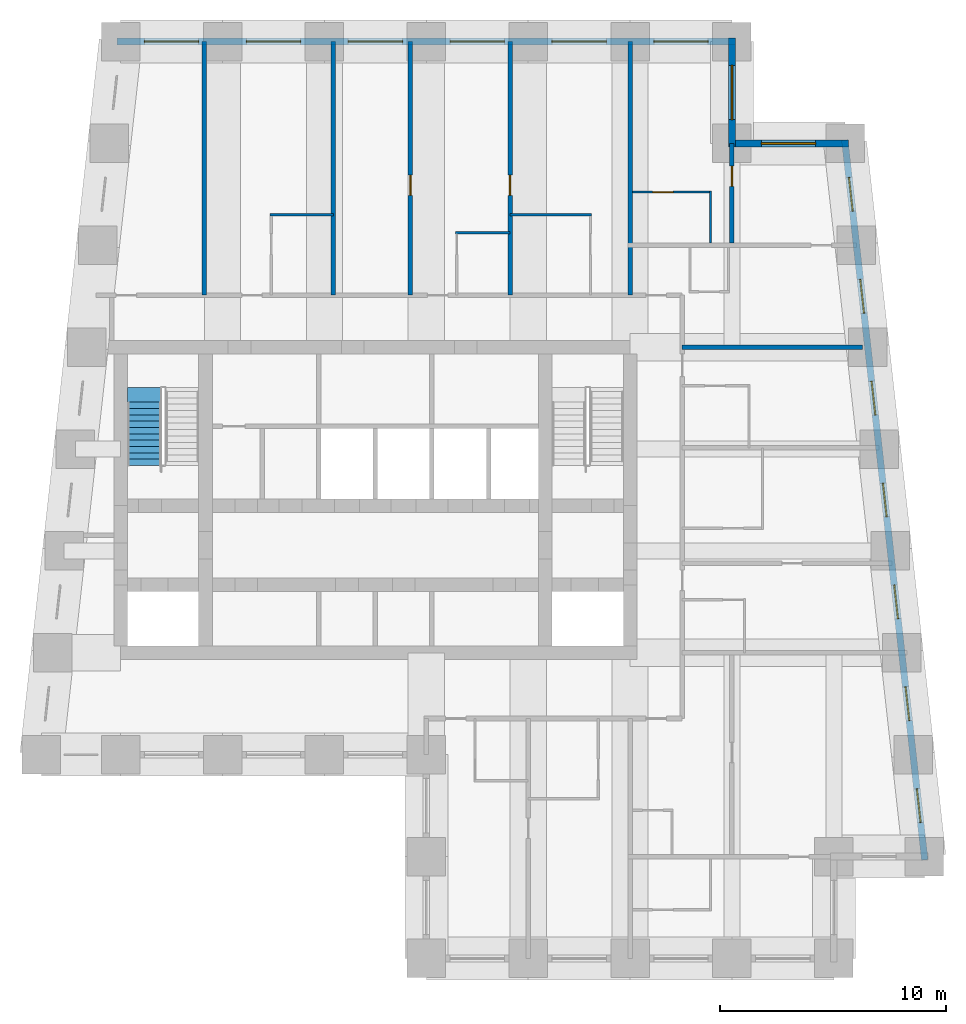
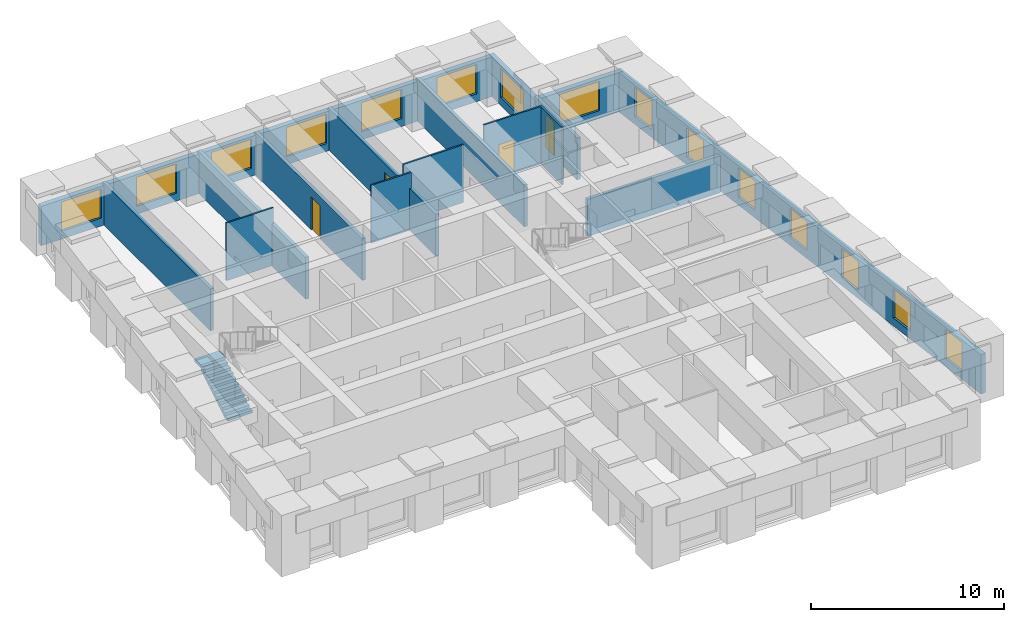
# One storey, part 5 of 7: 16 walls, 15 windows, 4 doors, 1 stair flight, 19 openings, 1 element without a shape of its own.
"""IFC4 building model written with IfcOpenShell, lengths in metres."""

from ifc_helpers import new_model, si_unit, direction, frame, frame_2d, origin, place, context, subcontext, project, spatial, polyline, rectangle, outline, extrude, material, layer, layer_set, type_object, element, fill, aggregate, save


model = new_model("IFC4")

# Units and contexts
model_context = context("Model", 3, precision=1e-05, world=origin(), true_north=direction((0.0, 1.0)))
body_context = subcontext(model_context, "Body", "Model", "MODEL_VIEW")
ifc_project = project(units=[si_unit("LENGTHUNIT", "METRE"), si_unit("AREAUNIT", "SQUARE_METRE"), si_unit("VOLUMEUNIT", "CUBIC_METRE"), si_unit("PLANEANGLEUNIT", "RADIAN"), si_unit("MASSUNIT", "GRAM", prefix="KILO")], contexts=[model_context])

# Site, building, storey
site_placement = place(None, origin())
site = spatial("IfcSite", under=ifc_project, at=site_placement, CompositionType="ELEMENT")
building_placement = place(site_placement, origin())
building = spatial("IfcBuilding", under=site, at=building_placement, Name="Kilele Tower Hotel", CompositionType="ELEMENT")
storey_placement = place(building_placement, frame((0.0, 0.0, 236.89990234375)))
storey = spatial("IfcBuildingStorey", under=building, at=storey_placement, Name="L61", CompositionType="ELEMENT", Elevation=236.89990234375)

# Walls
ifc_material_1 = material(Name="Moisture-resistant board")
ifc_layer_1 = layer(ifc_material_1, 0.10009765625)
ifc_layer_set_1 = layer_set([ifc_layer_1], Name="Moisture-resistant board")
wall_type_1 = type_object("IfcWallType", Name="Bathroom partition 100", PredefinedType="PLUMBINGWALL", material=ifc_layer_set_1)
wall_1_placement = place(storey_placement, frame((20.10009765625, 32.85009765625, 0.0), z_axis=(0.0, 0.0, 1.0), x_axis=(1.0, 0.0, 0.0)))
element("IfcWall", 1, at=wall_1_placement, inside=storey, type_object=wall_type_1, Name="Bathroom partition 100 L61", PredefinedType="PLUMBINGWALL", context=body_context, shape_type="SweptSolid", body=[
    extrude(rectangle(XDim=2.7998046875, YDim=0.10009765625, at=frame_2d((1.39990234375, 0.0))), origin(), (0.0, 0.0, 1.0), 3.650146484375),
])
wall_2_placement = place(storey_placement, frame((28.300048828125, 32.050048828125, 0.0), z_axis=(0.0, 0.0, 1.0), x_axis=(1.0, 0.0, 0.0)))
element("IfcWall", 2, at=wall_2_placement, inside=storey, type_object=wall_type_1, Name="Bathroom partition 100 L61", PredefinedType="PLUMBINGWALL", context=body_context, shape_type="SweptSolid", body=[
    extrude(rectangle(XDim=2.39990234375, YDim=0.10009765625, at=frame_2d((1.199951171875, 0.0))), origin(), (0.0, 0.0, 1.0), 3.650146484375),
])
wall_3_placement = place(storey_placement, frame((30.699951171875, 32.85009765625, 0.0), z_axis=(0.0, 0.0, 1.0), x_axis=(1.0, 0.0, 0.0)))
element("IfcWall", 3, at=wall_3_placement, inside=storey, type_object=wall_type_1, Name="Bathroom partition 100 L61", PredefinedType="PLUMBINGWALL", context=body_context, shape_type="SweptSolid", body=[
    extrude(rectangle(XDim=3.60009765625, YDim=0.10009765625, at=frame_2d((1.800048828125, 0.0))), origin(), (0.0, 0.0, 1.0), 3.650146484375),
])
wall_4_placement = place(storey_placement, frame((39.550048828125, 31.60009765625, 0.0), z_axis=(0.0, 0.0, 1.0), x_axis=(0.0, 1.0, 0.0)))
element("IfcWall", 4, at=wall_4_placement, inside=storey, type_object=wall_type_1, Name="Bathroom partition 100 L61", PredefinedType="PLUMBINGWALL", context=body_context, shape_type="SweptSolid", body=[
    extrude(rectangle(XDim=2.2998046875, YDim=0.10009765625, at=frame_2d((1.14990234375, 0.0))), origin(), (0.0, 0.0, 1.0), 3.650146484375),
])

# Wall, opening, door
wall_5_placement = place(storey_placement, frame((36.10009765625, 33.85009765625, 0.0), z_axis=(0.0, 0.0, 1.0), x_axis=(1.0, 0.0, 0.0)))
wall_5 = element("IfcWall", 5, at=wall_5_placement, inside=storey, type_object=wall_type_1, Name="Bathroom partition 100 L61", PredefinedType="PLUMBINGWALL", context=body_context, shape_type="SweptSolid", body=[
    extrude(rectangle(XDim=3.5, YDim=0.10009765625, at=frame_2d((1.75, 0.0))), origin(), (0.0, 0.0, 1.0), 3.650146484375),
])
opening_1_placement = place(wall_5_placement, frame((0.89990234375, 0.0, 0.0)))
opening_1 = element("IfcOpeningElement", 6, at=opening_1_placement, cuts=wall_5, Name="Opening D2A", PredefinedType="OPENING", context=body_context, shape_type="SweptSolid", body=[
    extrude(rectangle(XDim=0.89990234375, YDim=2.10009765625, at=frame_2d((0.449951171875, 1.050048828125))), frame((0.0, 0.06005859375, 0.0), z_axis=(0.0, -1.0, 0.0), x_axis=(1.0, 0.0, 0.0)), (0.0, 0.0, 1.0), 0.1201171875),
])
ifc_material_2 = material(Name="Timber door leaf in hardwood frame", Category="wood")
door_type_1 = type_object("IfcDoorType", Name="Bathroom door 900", OperationType="SINGLE_SWING_LEFT", PredefinedType="DOOR", material=ifc_material_2)
door_1_placement = place(opening_1_placement, origin())
door_1 = element("IfcDoor", 7, at=door_1_placement, inside=storey, type_object=door_type_1, Name="Bathroom door 6116B", OperationType="SINGLE_SWING_LEFT", OverallHeight=2.10009765625, OverallWidth=0.89990234375, PredefinedType="DOOR", context=body_context, shape_type="SweptSolid", body=[
    extrude(rectangle(XDim=0.89990234375, YDim=2.10009765625, at=frame_2d((0.449951171875, 1.050048828125))), frame((0.0, 0.02490234375, 0.0), z_axis=(0.0, -1.0, 0.0), x_axis=(1.0, 0.0, 0.0)), (0.0, 0.0, 1.0), 0.050048828125),
])
fill(opening_1, door_1)

ifc_material_3 = material(Name="Blockwork, plastered both sides", Category="masonry")
ifc_layer_2 = layer(ifc_material_3, 0.199951171875)
ifc_layer_set_2 = layer_set([ifc_layer_2], Name="Blockwork, plastered both sides")
wall_type_2 = type_object("IfcWallType", Name="Partition wall 200", PredefinedType="PARTITIONING", material=ifc_layer_set_2)
wall_6_placement = place(storey_placement, frame((40.5, 31.60009765625, 0.0), z_axis=(0.0, 0.0, 1.0), x_axis=(0.0, 1.0, 0.0)))
wall_6 = element("IfcWall", 8, at=wall_6_placement, inside=storey, type_object=wall_type_2, Name="Partition wall 200 L61", PredefinedType="PARTITIONING", context=body_context, shape_type="SweptSolid", body=[
    extrude(rectangle(XDim=4.39990234375, YDim=0.199951171875, at=frame_2d((2.199951171875, 0.0))), origin(), (0.0, 0.0, 1.0), 2.650146484375),
])
opening_2_placement = place(wall_6_placement, frame((2.5, 0.0, 0.0)))
opening_2 = element("IfcOpeningElement", 9, at=opening_2_placement, cuts=wall_6, Name="Opening D3", PredefinedType="OPENING", context=body_context, shape_type="SweptSolid", body=[
    extrude(rectangle(XDim=0.89990234375, YDim=2.10009765625, at=frame_2d((0.449951171875, 1.050048828125))), frame((0.0, 0.10986328125, 0.0), z_axis=(0.0, -1.0, 0.0), x_axis=(1.0, 0.0, 0.0)), (0.0, 0.0, 1.0), 0.219970703125),
])
ifc_material_4 = material(Name="Timber door leaf in hardwood frame", Category="wood")
door_type_2 = type_object("IfcDoorType", Name="Suite internal door 900", OperationType="SINGLE_SWING_LEFT", PredefinedType="DOOR", material=ifc_material_4)
door_2_placement = place(opening_2_placement, origin())
door_2 = element("IfcDoor", 10, at=door_2_placement, inside=storey, type_object=door_type_2, Name="Suite door 6117", OperationType="SINGLE_SWING_LEFT", OverallHeight=2.10009765625, OverallWidth=0.89990234375, PredefinedType="DOOR", context=body_context, shape_type="SweptSolid", body=[
    extrude(rectangle(XDim=0.89990234375, YDim=2.10009765625, at=frame_2d((0.449951171875, 1.050048828125))), frame((0.0, 0.02490234375, 0.0), z_axis=(0.0, -1.0, 0.0), x_axis=(1.0, 0.0, 0.0)), (0.0, 0.0, 1.0), 0.050048828125),
])
fill(opening_2, door_2)

# Walls
ifc_material_5 = material(Name="Blockwork, plastered both sides", Category="masonry")
ifc_layer_3 = layer(ifc_material_5, 0.199951171875)
ifc_layer_set_3 = layer_set([ifc_layer_3], Name="Blockwork, plastered both sides")
wall_type_3 = type_object("IfcWallType", Name="Party wall 200", PredefinedType="PARTITIONING", material=ifc_layer_set_3)
for number, where, z_axis, x_axis, name in (
    (11, (17.199951171875, 29.300048828125, 0.0), (0.0, 0.0, 1.0), (0.0, 1.0, 0.0), "Party wall 200 L61"),
    (12, (22.89990234375, 29.300048828125, 0.0), (0.0, 0.0, 1.0), (0.0, 1.0, 0.0), "Party wall 200 L61"),
):
    element("IfcWall", number, at=place(storey_placement, frame(where, z_axis=z_axis, x_axis=x_axis)), inside=storey, type_object=wall_type_3, Name=name, PredefinedType="PARTITIONING", context=body_context, shape_type="SweptSolid", body=[
        extrude(rectangle(XDim=11.199951171875, YDim=0.199951171875, at=frame_2d((5.60009765625, 0.0))), origin(), (0.0, 0.0, 1.0), 2.650146484375),
    ])

# Wall, opening, door
wall_7_placement = place(storey_placement, frame((26.300048828125, 29.300048828125, 0.0), z_axis=(0.0, 0.0, 1.0), x_axis=(0.0, 1.0, 0.0)))
wall_7 = element("IfcWall", 13, at=wall_7_placement, inside=storey, type_object=wall_type_3, Name="Party wall 200 L61", PredefinedType="PARTITIONING", context=body_context, shape_type="SweptSolid", body=[
    extrude(rectangle(XDim=11.199951171875, YDim=0.199951171875, at=frame_2d((5.60009765625, 0.0))), origin(), (0.0, 0.0, 1.0), 2.650146484375),
])
opening_3_placement = place(wall_7_placement, frame((4.39990234375, 0.0, 0.0)))
opening_3 = element("IfcOpeningElement", 14, at=opening_3_placement, cuts=wall_7, Name="Opening D3", PredefinedType="OPENING", context=body_context, shape_type="SweptSolid", body=[
    extrude(rectangle(XDim=0.89990234375, YDim=2.10009765625, at=frame_2d((0.449951171875, 1.050048828125))), frame((0.0, 0.10986328125, 0.0), z_axis=(0.0, -1.0, 0.0), x_axis=(1.0, 0.0, 0.0)), (0.0, 0.0, 1.0), 0.219970703125),
])
door_3_placement = place(opening_3_placement, origin())
door_3 = element("IfcDoor", 15, at=door_3_placement, inside=storey, type_object=door_type_2, Name="Suite door 6110", OperationType="SINGLE_SWING_LEFT", OverallHeight=2.10009765625, OverallWidth=0.89990234375, PredefinedType="DOOR", context=body_context, shape_type="SweptSolid", body=[
    extrude(rectangle(XDim=0.89990234375, YDim=2.10009765625, at=frame_2d((0.449951171875, 1.050048828125))), frame((0.0, 0.02490234375, 0.0), z_axis=(0.0, -1.0, 0.0), x_axis=(1.0, 0.0, 0.0)), (0.0, 0.0, 1.0), 0.050048828125),
])
fill(opening_3, door_3)

wall_8_placement = place(storey_placement, frame((30.699951171875, 29.300048828125, 0.0), z_axis=(0.0, 0.0, 1.0), x_axis=(0.0, 1.0, 0.0)))
wall_8 = element("IfcWall", 16, at=wall_8_placement, inside=storey, type_object=wall_type_3, Name="Party wall 200 L61", PredefinedType="PARTITIONING", context=body_context, shape_type="SweptSolid", body=[
    extrude(rectangle(XDim=11.199951171875, YDim=0.199951171875, at=frame_2d((5.60009765625, 0.0))), origin(), (0.0, 0.0, 1.0), 2.650146484375),
])
opening_4_placement = place(wall_8_placement, frame((5.2998046875, 0.0, 0.0), z_axis=(0.0, 0.0, 1.0), x_axis=(-1.0, 0.0, 0.0)))
opening_4 = element("IfcOpeningElement", 17, at=opening_4_placement, cuts=wall_8, Name="Opening D3", PredefinedType="OPENING", context=body_context, shape_type="SweptSolid", body=[
    extrude(rectangle(XDim=0.89990234375, YDim=2.10009765625, at=frame_2d((0.449951171875, 1.050048828125))), frame((0.0, 0.10986328125, 0.0), z_axis=(0.0, -1.0, 0.0), x_axis=(1.0, 0.0, 0.0)), (0.0, 0.0, 1.0), 0.219970703125),
])
door_4_placement = place(opening_4_placement, origin())
door_4 = element("IfcDoor", 18, at=door_4_placement, inside=storey, type_object=door_type_2, Name="Suite door 6111", OperationType="SINGLE_SWING_RIGHT", OverallHeight=2.10009765625, OverallWidth=0.89990234375, PredefinedType="DOOR", context=body_context, shape_type="SweptSolid", body=[
    extrude(rectangle(XDim=0.89990234375, YDim=2.10009765625, at=frame_2d((0.449951171875, 1.050048828125))), frame((0.0, 0.02490234375, 0.0), z_axis=(0.0, -1.0, 0.0), x_axis=(1.0, 0.0, 0.0)), (0.0, 0.0, 1.0), 0.050048828125),
])
fill(opening_4, door_4)

# Walls
wall_9_placement = place(storey_placement, frame((38.300048828125, 27.0, 0.0), z_axis=(0.0, 0.0, 1.0), x_axis=(1.0, 0.0, 0.0)))
element("IfcWall", 19, at=wall_9_placement, inside=storey, type_object=wall_type_3, Name="Party wall 200 L61", PredefinedType="PARTITIONING", context=body_context, shape_type="SweptSolid", body=[
    extrude(rectangle(XDim=7.976806640625, YDim=0.199951171875, at=frame_2d((3.98828125, 0.0))), origin(), (0.0, 0.0, 1.0), 2.35009765625),
])
wall_10_placement = place(storey_placement, frame((36.0, 29.300048828125, 0.0), z_axis=(0.0, 0.0, 1.0), x_axis=(0.0, 1.0, 0.0)))
element("IfcWall", 20, at=wall_10_placement, inside=storey, type_object=wall_type_3, Name="Party wall 200 L61", PredefinedType="PARTITIONING", context=body_context, shape_type="SweptSolid", body=[
    extrude(rectangle(XDim=11.199951171875, YDim=0.199951171875, at=frame_2d((5.60009765625, 0.0))), origin(), (0.0, 0.0, 1.0), 2.650146484375),
])

# Wall, openings, windows
ifc_material_6 = material(Name="Concrete C40/50 precast", Category="concrete")
ifc_layer_4 = layer(ifc_material_6, 0.260009765625, Name="Precast backing", Category="LoadBearing")
ifc_material_7 = material(Name="Reconstituted stone finish", Category="masonry")
ifc_layer_5 = layer(ifc_material_7, 0.0400390625, Name="Face mix", Category="Finish")
ifc_layer_set_4 = layer_set([ifc_layer_4, ifc_layer_5], Name="Precast concrete C40/50, reconstituted stone finish")
wall_type_4 = type_object("IfcWallType", Name="Precast stone facade wall 300", PredefinedType="STANDARD", material=ifc_layer_set_4)
wall_11_placement = place(storey_placement, frame((49.0166015625, 4.350830078125, 0.0), z_axis=(0.0, 0.0, 1.0), x_axis=(-0.110433201132, 0.993883548555, 0.0)))
wall_11 = element("IfcWall", 21, at=wall_11_placement, inside=storey, type_object=wall_type_4, Name="Facade wall L61 edge 6", PredefinedType="STANDARD", context=body_context, shape_type="SweptSolid", body=[
    extrude(rectangle(XDim=31.994140625, YDim=0.300048828125, at=frame_2d((15.9970703125, 0.0))), origin(), (0.0, 0.0, 1.0), 2.5),
])
opening_5_placement = place(wall_11_placement, frame((1.6640625, 0.0, 0.5)))
opening_5 = element("IfcOpeningElement", 22, at=opening_5_placement, cuts=wall_11, Name="Opening W4", PredefinedType="OPENING", context=body_context, shape_type="SweptSolid", body=[
    extrude(rectangle(XDim=1.5, YDim=1.85009765625, at=frame_2d((0.75, 0.925048828125))), frame((0.0, 0.159912109375, 0.0), z_axis=(0.0, -1.0, 0.0), x_axis=(1.0, 0.0, 0.0)), (0.0, 0.0, 1.0), 0.320068359375),
])
opening_6_placement = place(wall_11_placement, frame((6.19189453125, 0.0, 0.5)))
opening_6 = element("IfcOpeningElement", 23, at=opening_6_placement, cuts=wall_11, Name="Opening W4", PredefinedType="OPENING", context=body_context, shape_type="SweptSolid", body=[
    extrude(rectangle(XDim=1.5, YDim=1.85009765625, at=frame_2d((0.75, 0.925048828125))), frame((0.0, 0.159912109375, 0.0), z_axis=(0.0, -1.0, 0.0), x_axis=(1.0, 0.0, 0.0)), (0.0, 0.0, 1.0), 0.320068359375),
])
opening_7_placement = place(wall_11_placement, frame((10.718994140625, 0.0, 0.5)))
opening_7 = element("IfcOpeningElement", 24, at=opening_7_placement, cuts=wall_11, Name="Opening W4", PredefinedType="OPENING", context=body_context, shape_type="SweptSolid", body=[
    extrude(rectangle(XDim=1.5, YDim=1.85009765625, at=frame_2d((0.75, 0.925048828125))), frame((0.0, 0.159912109375, 0.0), z_axis=(0.0, -1.0, 0.0), x_axis=(1.0, 0.0, 0.0)), (0.0, 0.0, 1.0), 0.320068359375),
])
opening_8_placement = place(wall_11_placement, frame((15.2470703125, 0.0, 0.5)))
opening_8 = element("IfcOpeningElement", 25, at=opening_8_placement, cuts=wall_11, Name="Opening W4", PredefinedType="OPENING", context=body_context, shape_type="SweptSolid", body=[
    extrude(rectangle(XDim=1.5, YDim=1.85009765625, at=frame_2d((0.75, 0.925048828125))), frame((0.0, 0.159912109375, 0.0), z_axis=(0.0, -1.0, 0.0), x_axis=(1.0, 0.0, 0.0)), (0.0, 0.0, 1.0), 0.320068359375),
])
opening_9_placement = place(wall_11_placement, frame((19.77490234375, 0.0, 0.5)))
opening_9 = element("IfcOpeningElement", 26, at=opening_9_placement, cuts=wall_11, Name="Opening W4", PredefinedType="OPENING", context=body_context, shape_type="SweptSolid", body=[
    extrude(rectangle(XDim=1.5, YDim=1.85009765625, at=frame_2d((0.75, 0.925048828125))), frame((0.0, 0.159912109375, 0.0), z_axis=(0.0, -1.0, 0.0), x_axis=(1.0, 0.0, 0.0)), (0.0, 0.0, 1.0), 0.320068359375),
])
opening_10_placement = place(wall_11_placement, frame((24.302001953125, 0.0, 0.5)))
opening_10 = element("IfcOpeningElement", 27, at=opening_10_placement, cuts=wall_11, Name="Opening W4", PredefinedType="OPENING", context=body_context, shape_type="SweptSolid", body=[
    extrude(rectangle(XDim=1.5, YDim=1.85009765625, at=frame_2d((0.75, 0.925048828125))), frame((0.0, 0.159912109375, 0.0), z_axis=(0.0, -1.0, 0.0), x_axis=(1.0, 0.0, 0.0)), (0.0, 0.0, 1.0), 0.320068359375),
])
opening_11_placement = place(wall_11_placement, frame((28.830078125, 0.0, 0.5)))
opening_11 = element("IfcOpeningElement", 28, at=opening_11_placement, cuts=wall_11, Name="Opening W4", PredefinedType="OPENING", context=body_context, shape_type="SweptSolid", body=[
    extrude(rectangle(XDim=1.5, YDim=1.85009765625, at=frame_2d((0.75, 0.925048828125))), frame((0.0, 0.159912109375, 0.0), z_axis=(0.0, -1.0, 0.0), x_axis=(1.0, 0.0, 0.0)), (0.0, 0.0, 1.0), 0.320068359375),
])
ifc_material_8 = material(Name="Aluminium frame, clear double glazing", Category="aluminium")
window_type_1 = type_object("IfcWindowType", Name="Window W4 1500 x 1850", PartitioningType="SINGLE_PANEL", PredefinedType="WINDOW", material=ifc_material_8)
window_1_placement = place(opening_5_placement, origin())
window_1 = element("IfcWindow", 29, at=window_1_placement, inside=storey, type_object=window_type_1, Name="Window L61", OverallHeight=1.85009765625, OverallWidth=1.5, PartitioningType="SINGLE_PANEL", PredefinedType="WINDOW", context=body_context, shape_type="SweptSolid", body=[
    extrude(rectangle(XDim=1.5, YDim=1.85009765625, at=frame_2d((0.75, 0.925048828125))), frame((0.0, 0.030029296875, 0.0), z_axis=(0.0, -1.0, 0.0), x_axis=(1.0, 0.0, 0.0)), (0.0, 0.0, 1.0), 0.06005859375),
])
fill(opening_5, window_1)
window_2_placement = place(opening_6_placement, origin())
window_2 = element("IfcWindow", 30, at=window_2_placement, inside=storey, type_object=window_type_1, Name="Window L61", OverallHeight=1.85009765625, OverallWidth=1.5, PartitioningType="SINGLE_PANEL", PredefinedType="WINDOW", context=body_context, shape_type="SweptSolid", body=[
    extrude(rectangle(XDim=1.5, YDim=1.85009765625, at=frame_2d((0.75, 0.925048828125))), frame((0.0, 0.030029296875, 0.0), z_axis=(0.0, -1.0, 0.0), x_axis=(1.0, 0.0, 0.0)), (0.0, 0.0, 1.0), 0.06005859375),
])
fill(opening_6, window_2)
window_3_placement = place(opening_7_placement, origin())
window_3 = element("IfcWindow", 31, at=window_3_placement, inside=storey, type_object=window_type_1, Name="Window L61", OverallHeight=1.85009765625, OverallWidth=1.5, PartitioningType="SINGLE_PANEL", PredefinedType="WINDOW", context=body_context, shape_type="SweptSolid", body=[
    extrude(rectangle(XDim=1.5, YDim=1.85009765625, at=frame_2d((0.75, 0.925048828125))), frame((0.0, 0.030029296875, 0.0), z_axis=(0.0, -1.0, 0.0), x_axis=(1.0, 0.0, 0.0)), (0.0, 0.0, 1.0), 0.06005859375),
])
fill(opening_7, window_3)
window_4_placement = place(opening_8_placement, origin())
window_4 = element("IfcWindow", 32, at=window_4_placement, inside=storey, type_object=window_type_1, Name="Window L61", OverallHeight=1.85009765625, OverallWidth=1.5, PartitioningType="SINGLE_PANEL", PredefinedType="WINDOW", context=body_context, shape_type="SweptSolid", body=[
    extrude(rectangle(XDim=1.5, YDim=1.85009765625, at=frame_2d((0.75, 0.925048828125))), frame((0.0, 0.030029296875, 0.0), z_axis=(0.0, -1.0, 0.0), x_axis=(1.0, 0.0, 0.0)), (0.0, 0.0, 1.0), 0.06005859375),
])
fill(opening_8, window_4)
window_5_placement = place(opening_9_placement, origin())
window_5 = element("IfcWindow", 33, at=window_5_placement, inside=storey, type_object=window_type_1, Name="Window L61", OverallHeight=1.85009765625, OverallWidth=1.5, PartitioningType="SINGLE_PANEL", PredefinedType="WINDOW", context=body_context, shape_type="SweptSolid", body=[
    extrude(rectangle(XDim=1.5, YDim=1.85009765625, at=frame_2d((0.75, 0.925048828125))), frame((0.0, 0.030029296875, 0.0), z_axis=(0.0, -1.0, 0.0), x_axis=(1.0, 0.0, 0.0)), (0.0, 0.0, 1.0), 0.06005859375),
])
fill(opening_9, window_5)
window_6_placement = place(opening_10_placement, origin())
window_6 = element("IfcWindow", 34, at=window_6_placement, inside=storey, type_object=window_type_1, Name="Window L61", OverallHeight=1.85009765625, OverallWidth=1.5, PartitioningType="SINGLE_PANEL", PredefinedType="WINDOW", context=body_context, shape_type="SweptSolid", body=[
    extrude(rectangle(XDim=1.5, YDim=1.85009765625, at=frame_2d((0.75, 0.925048828125))), frame((0.0, 0.030029296875, 0.0), z_axis=(0.0, -1.0, 0.0), x_axis=(1.0, 0.0, 0.0)), (0.0, 0.0, 1.0), 0.06005859375),
])
fill(opening_10, window_6)
window_7_placement = place(opening_11_placement, origin())
window_7 = element("IfcWindow", 35, at=window_7_placement, inside=storey, type_object=window_type_1, Name="Window L61", OverallHeight=1.85009765625, OverallWidth=1.5, PartitioningType="SINGLE_PANEL", PredefinedType="WINDOW", context=body_context, shape_type="SweptSolid", body=[
    extrude(rectangle(XDim=1.5, YDim=1.85009765625, at=frame_2d((0.75, 0.925048828125))), frame((0.0, 0.030029296875, 0.0), z_axis=(0.0, -1.0, 0.0), x_axis=(1.0, 0.0, 0.0)), (0.0, 0.0, 1.0), 0.06005859375),
])
fill(opening_11, window_7)

# Wall, opening, window
wall_12_placement = place(storey_placement, frame((45.64990234375, 36.0, 0.0), z_axis=(0.0, 0.0, 1.0), x_axis=(-1.0, 0.0, 0.0)))
wall_12 = element("IfcWall", 36, at=wall_12_placement, inside=storey, type_object=wall_type_4, Name="Facade wall L61 edge 7", PredefinedType="STANDARD", context=body_context, shape_type="SweptSolid", body=[
    extrude(rectangle(XDim=5.2998046875, YDim=0.300048828125, at=frame_2d((2.64990234375, 0.0))), origin(), (0.0, 0.0, 1.0), 2.5),
])
opening_12_placement = place(wall_12_placement, frame((1.449951171875, 0.0, 0.5)))
opening_12 = element("IfcOpeningElement", 37, at=opening_12_placement, cuts=wall_12, Name="Opening W4", PredefinedType="OPENING", context=body_context, shape_type="SweptSolid", body=[
    extrude(rectangle(XDim=2.39990234375, YDim=1.85009765625, at=frame_2d((1.199951171875, 0.925048828125))), frame((0.0, 0.159912109375, 0.0), z_axis=(0.0, -1.0, 0.0), x_axis=(1.0, 0.0, 0.0)), (0.0, 0.0, 1.0), 0.320068359375),
])
ifc_material_9 = material(Name="Aluminium frame, clear double glazing", Category="aluminium")
window_type_2 = type_object("IfcWindowType", Name="Window W4 2400 x 1850", PartitioningType="SINGLE_PANEL", PredefinedType="WINDOW", material=ifc_material_9)
window_8_placement = place(opening_12_placement, origin())
window_8 = element("IfcWindow", 38, at=window_8_placement, inside=storey, type_object=window_type_2, Name="Window L61", OverallHeight=1.85009765625, OverallWidth=2.39990234375, PartitioningType="SINGLE_PANEL", PredefinedType="WINDOW", context=body_context, shape_type="SweptSolid", body=[
    extrude(rectangle(XDim=2.39990234375, YDim=1.85009765625, at=frame_2d((1.199951171875, 0.925048828125))), frame((0.0, 0.030029296875, 0.0), z_axis=(0.0, -1.0, 0.0), x_axis=(1.0, 0.0, 0.0)), (0.0, 0.0, 1.0), 0.06005859375),
])
fill(opening_12, window_8)

wall_13_placement = place(storey_placement, frame((40.5, 35.85009765625, 0.0), z_axis=(0.0, 0.0, 1.0), x_axis=(0.0, 1.0, 0.0)))
wall_13 = element("IfcWall", 39, at=wall_13_placement, inside=storey, type_object=wall_type_4, Name="Facade wall L61 edge 8", PredefinedType="STANDARD", context=body_context, shape_type="SweptSolid", body=[
    extrude(rectangle(XDim=4.7998046875, YDim=0.300048828125, at=frame_2d((2.39990234375, 0.0))), origin(), (0.0, 0.0, 1.0), 2.5),
])
opening_13_placement = place(wall_13_placement, frame((1.199951171875, 0.0, 0.5)))
opening_13 = element("IfcOpeningElement", 40, at=opening_13_placement, cuts=wall_13, Name="Opening W4", PredefinedType="OPENING", context=body_context, shape_type="SweptSolid", body=[
    extrude(rectangle(XDim=2.39990234375, YDim=1.85009765625, at=frame_2d((1.199951171875, 0.925048828125))), frame((0.0, 0.159912109375, 0.0), z_axis=(0.0, -1.0, 0.0), x_axis=(1.0, 0.0, 0.0)), (0.0, 0.0, 1.0), 0.320068359375),
])
window_9_placement = place(opening_13_placement, origin())
window_9 = element("IfcWindow", 41, at=window_9_placement, inside=storey, type_object=window_type_2, Name="Window L61", OverallHeight=1.85009765625, OverallWidth=2.39990234375, PartitioningType="SINGLE_PANEL", PredefinedType="WINDOW", context=body_context, shape_type="SweptSolid", body=[
    extrude(rectangle(XDim=2.39990234375, YDim=1.85009765625, at=frame_2d((1.199951171875, 0.925048828125))), frame((0.0, 0.030029296875, 0.0), z_axis=(0.0, -1.0, 0.0), x_axis=(1.0, 0.0, 0.0)), (0.0, 0.0, 1.0), 0.06005859375),
])
fill(opening_13, window_9)

# Wall, openings, windows
wall_14_placement = place(storey_placement, frame((40.64990234375, 40.5, 0.0), z_axis=(0.0, 0.0, 1.0), x_axis=(-1.0, 0.0, 0.0)))
wall_14 = element("IfcWall", 42, at=wall_14_placement, inside=storey, type_object=wall_type_4, Name="Facade wall L61 edge 9", PredefinedType="STANDARD", context=body_context, shape_type="SweptSolid", body=[
    extrude(rectangle(XDim=27.2998046875, YDim=0.300048828125, at=frame_2d((13.64990234375, 0.0))), origin(), (0.0, 0.0, 1.0), 2.5),
])
opening_14_placement = place(wall_14_placement, frame((1.199951171875, 0.0, 0.5)))
opening_14 = element("IfcOpeningElement", 43, at=opening_14_placement, cuts=wall_14, Name="Opening W4", PredefinedType="OPENING", context=body_context, shape_type="SweptSolid", body=[
    extrude(rectangle(XDim=2.39990234375, YDim=1.85009765625, at=frame_2d((1.199951171875, 0.925048828125))), frame((0.0, 0.159912109375, 0.0), z_axis=(0.0, -1.0, 0.0), x_axis=(1.0, 0.0, 0.0)), (0.0, 0.0, 1.0), 0.320068359375),
])
opening_15_placement = place(wall_14_placement, frame((5.699951171875, 0.0, 0.5)))
opening_15 = element("IfcOpeningElement", 44, at=opening_15_placement, cuts=wall_14, Name="Opening W4", PredefinedType="OPENING", context=body_context, shape_type="SweptSolid", body=[
    extrude(rectangle(XDim=2.39990234375, YDim=1.85009765625, at=frame_2d((1.199951171875, 0.925048828125))), frame((0.0, 0.159912109375, 0.0), z_axis=(0.0, -1.0, 0.0), x_axis=(1.0, 0.0, 0.0)), (0.0, 0.0, 1.0), 0.320068359375),
])
opening_16_placement = place(wall_14_placement, frame((10.199951171875, 0.0, 0.5)))
opening_16 = element("IfcOpeningElement", 45, at=opening_16_placement, cuts=wall_14, Name="Opening W4", PredefinedType="OPENING", context=body_context, shape_type="SweptSolid", body=[
    extrude(rectangle(XDim=2.39990234375, YDim=1.85009765625, at=frame_2d((1.199951171875, 0.925048828125))), frame((0.0, 0.159912109375, 0.0), z_axis=(0.0, -1.0, 0.0), x_axis=(1.0, 0.0, 0.0)), (0.0, 0.0, 1.0), 0.320068359375),
])
opening_17_placement = place(wall_14_placement, frame((14.699951171875, 0.0, 0.5)))
opening_17 = element("IfcOpeningElement", 46, at=opening_17_placement, cuts=wall_14, Name="Opening W4", PredefinedType="OPENING", context=body_context, shape_type="SweptSolid", body=[
    extrude(rectangle(XDim=2.39990234375, YDim=1.85009765625, at=frame_2d((1.199951171875, 0.925048828125))), frame((0.0, 0.159912109375, 0.0), z_axis=(0.0, -1.0, 0.0), x_axis=(1.0, 0.0, 0.0)), (0.0, 0.0, 1.0), 0.320068359375),
])
opening_18_placement = place(wall_14_placement, frame((19.199951171875, 0.0, 0.5)))
opening_18 = element("IfcOpeningElement", 47, at=opening_18_placement, cuts=wall_14, Name="Opening W4", PredefinedType="OPENING", context=body_context, shape_type="SweptSolid", body=[
    extrude(rectangle(XDim=2.39990234375, YDim=1.85009765625, at=frame_2d((1.199951171875, 0.925048828125))), frame((0.0, 0.159912109375, 0.0), z_axis=(0.0, -1.0, 0.0), x_axis=(1.0, 0.0, 0.0)), (0.0, 0.0, 1.0), 0.320068359375),
])
opening_19_placement = place(wall_14_placement, frame((23.699951171875, 0.0, 0.5)))
opening_19 = element("IfcOpeningElement", 48, at=opening_19_placement, cuts=wall_14, Name="Opening W4", PredefinedType="OPENING", context=body_context, shape_type="SweptSolid", body=[
    extrude(rectangle(XDim=2.39990234375, YDim=1.85009765625, at=frame_2d((1.199951171875, 0.925048828125))), frame((0.0, 0.159912109375, 0.0), z_axis=(0.0, -1.0, 0.0), x_axis=(1.0, 0.0, 0.0)), (0.0, 0.0, 1.0), 0.320068359375),
])
window_10_placement = place(opening_14_placement, origin())
window_10 = element("IfcWindow", 49, at=window_10_placement, inside=storey, type_object=window_type_2, Name="Window L61", OverallHeight=1.85009765625, OverallWidth=2.39990234375, PartitioningType="SINGLE_PANEL", PredefinedType="WINDOW", context=body_context, shape_type="SweptSolid", body=[
    extrude(rectangle(XDim=2.39990234375, YDim=1.85009765625, at=frame_2d((1.199951171875, 0.925048828125))), frame((0.0, 0.030029296875, 0.0), z_axis=(0.0, -1.0, 0.0), x_axis=(1.0, 0.0, 0.0)), (0.0, 0.0, 1.0), 0.06005859375),
])
fill(opening_14, window_10)
window_11_placement = place(opening_15_placement, origin())
window_11 = element("IfcWindow", 50, at=window_11_placement, inside=storey, type_object=window_type_2, Name="Window L61", OverallHeight=1.85009765625, OverallWidth=2.39990234375, PartitioningType="SINGLE_PANEL", PredefinedType="WINDOW", context=body_context, shape_type="SweptSolid", body=[
    extrude(rectangle(XDim=2.39990234375, YDim=1.85009765625, at=frame_2d((1.199951171875, 0.925048828125))), frame((0.0, 0.030029296875, 0.0), z_axis=(0.0, -1.0, 0.0), x_axis=(1.0, 0.0, 0.0)), (0.0, 0.0, 1.0), 0.06005859375),
])
fill(opening_15, window_11)
window_12_placement = place(opening_16_placement, origin())
window_12 = element("IfcWindow", 51, at=window_12_placement, inside=storey, type_object=window_type_2, Name="Window L61", OverallHeight=1.85009765625, OverallWidth=2.39990234375, PartitioningType="SINGLE_PANEL", PredefinedType="WINDOW", context=body_context, shape_type="SweptSolid", body=[
    extrude(rectangle(XDim=2.39990234375, YDim=1.85009765625, at=frame_2d((1.199951171875, 0.925048828125))), frame((0.0, 0.030029296875, 0.0), z_axis=(0.0, -1.0, 0.0), x_axis=(1.0, 0.0, 0.0)), (0.0, 0.0, 1.0), 0.06005859375),
])
fill(opening_16, window_12)
window_13_placement = place(opening_17_placement, origin())
window_13 = element("IfcWindow", 52, at=window_13_placement, inside=storey, type_object=window_type_2, Name="Window L61", OverallHeight=1.85009765625, OverallWidth=2.39990234375, PartitioningType="SINGLE_PANEL", PredefinedType="WINDOW", context=body_context, shape_type="SweptSolid", body=[
    extrude(rectangle(XDim=2.39990234375, YDim=1.85009765625, at=frame_2d((1.199951171875, 0.925048828125))), frame((0.0, 0.030029296875, 0.0), z_axis=(0.0, -1.0, 0.0), x_axis=(1.0, 0.0, 0.0)), (0.0, 0.0, 1.0), 0.06005859375),
])
fill(opening_17, window_13)
window_14_placement = place(opening_18_placement, origin())
window_14 = element("IfcWindow", 53, at=window_14_placement, inside=storey, type_object=window_type_2, Name="Window L61", OverallHeight=1.85009765625, OverallWidth=2.39990234375, PartitioningType="SINGLE_PANEL", PredefinedType="WINDOW", context=body_context, shape_type="SweptSolid", body=[
    extrude(rectangle(XDim=2.39990234375, YDim=1.85009765625, at=frame_2d((1.199951171875, 0.925048828125))), frame((0.0, 0.030029296875, 0.0), z_axis=(0.0, -1.0, 0.0), x_axis=(1.0, 0.0, 0.0)), (0.0, 0.0, 1.0), 0.06005859375),
])
fill(opening_18, window_14)
window_15_placement = place(opening_19_placement, origin())
window_15 = element("IfcWindow", 54, at=window_15_placement, inside=storey, type_object=window_type_2, Name="Window L61", OverallHeight=1.85009765625, OverallWidth=2.39990234375, PartitioningType="SINGLE_PANEL", PredefinedType="WINDOW", context=body_context, shape_type="SweptSolid", body=[
    extrude(rectangle(XDim=2.39990234375, YDim=1.85009765625, at=frame_2d((1.199951171875, 0.925048828125))), frame((0.0, 0.030029296875, 0.0), z_axis=(0.0, -1.0, 0.0), x_axis=(1.0, 0.0, 0.0)), (0.0, 0.0, 1.0), 0.06005859375),
])
fill(opening_19, window_15)

# Stair, stair flight
ifc_material_10 = material(Name="Precast concrete C40/50", Category="concrete")
stair_type = type_object("IfcStairType", Name="Stair 1475 x 3900", PredefinedType="HALF_TURN_STAIR", material=ifc_material_10)
stair_placement = place(storey_placement, origin())
stair = element("IfcStair", 55, at=stair_placement, inside=storey, type_object=stair_type, Name="Stair 1 L61", PredefinedType="HALF_TURN_STAIR")
ifc_material_11 = material(Name="Precast concrete C40/50", Category="concrete")
stair_flight_type = type_object("IfcStairFlightType", Name="Flight 1475 riser 169.6", PredefinedType="STRAIGHT", material=ifc_material_11)
stair_flight_placement = place(storey_placement, frame((14.53759765625, 21.77490234375, 0.0), z_axis=(0.0, 0.0, 1.0), x_axis=(0.0, 1.0, 0.0)))
stair_flight = element("IfcStairFlight", 56, at=stair_flight_placement, type_object=stair_flight_type, Name="ST1 flight 1", NumberOfRisers=11, NumberOfTreads=10, PredefinedType="STRAIGHT", RiserHeight=0.169565217, TreadLength=0.28, context=body_context, shape_type="SweptSolid", body=[
    extrude(outline(polyline([(0.0, 0.0), (0.0, 0.169677734375), (0.280029296875, 0.169677734375), (0.280029296875, 0.339111328125), (0.56005859375, 0.339111328125), (0.56005859375, 0.5087890625), (0.840087890625, 0.5087890625), (0.840087890625, 0.67822265625), (1.1201171875, 0.67822265625), (1.1201171875, 0.847900390625), (1.39990234375, 0.847900390625), (1.39990234375, 1.017333984375), (1.679931640625, 1.017333984375), (1.679931640625, 1.18701171875), (1.9599609375, 1.18701171875), (1.9599609375, 1.3564453125), (2.239990234375, 1.3564453125), (2.239990234375, 1.526123046875), (2.52001953125, 1.526123046875), (2.52001953125, 1.695556640625), (2.800048828125, 1.695556640625), (2.800048828125, 1.865234375), (2.800048828125, 1.5205078125), (0.289306640625, 0.0), (0.0, 0.0)])), frame((0.0, 0.737548828125, 0.0), z_axis=(0.0, -1.0, 0.0), x_axis=(1.0, 0.0, 0.0)), (0.0, 0.0, 1.0), 1.47509765625),
    extrude(outline(polyline([(2.800048828125, 0.737548828125), (2.800048828125, -0.7373046875), (3.4501953125, -0.7373046875), (3.4501953125, 0.737548828125), (2.800048828125, 0.737548828125)])), frame((0.0, 0.0, 1.665283203125)), (0.0, 0.0, 1.0), 0.199951171875),
])
aggregate(stair, [stair_flight])

save(model, "model.ifc")
